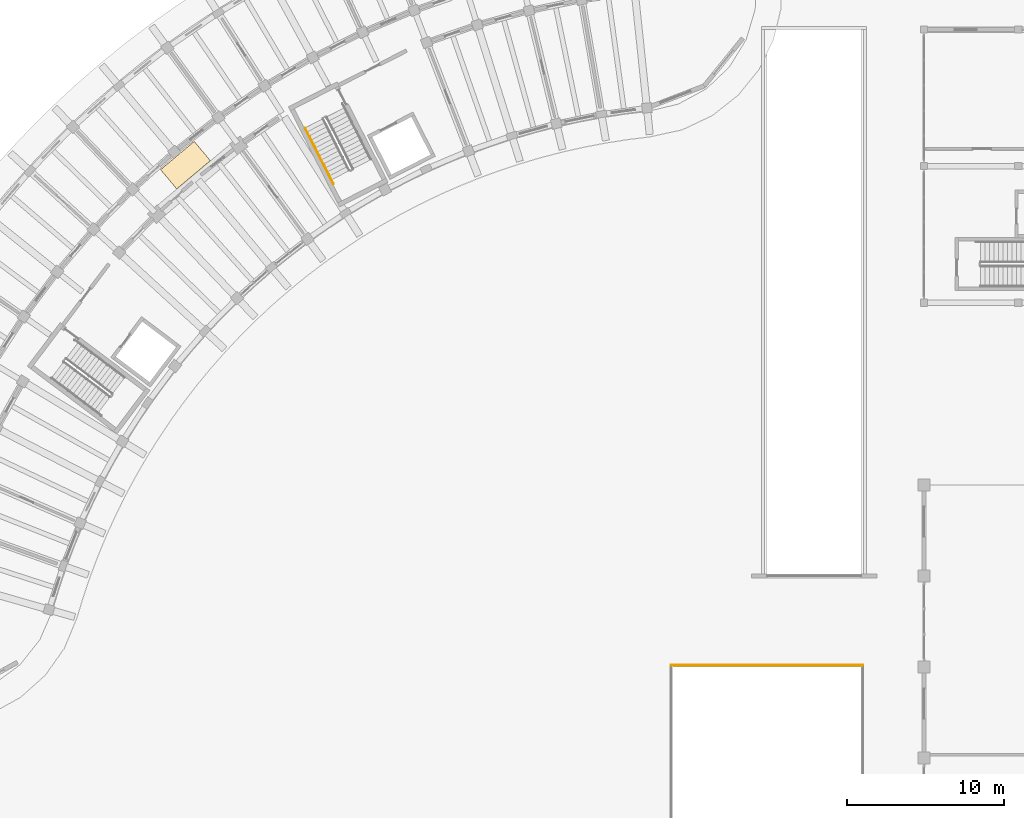
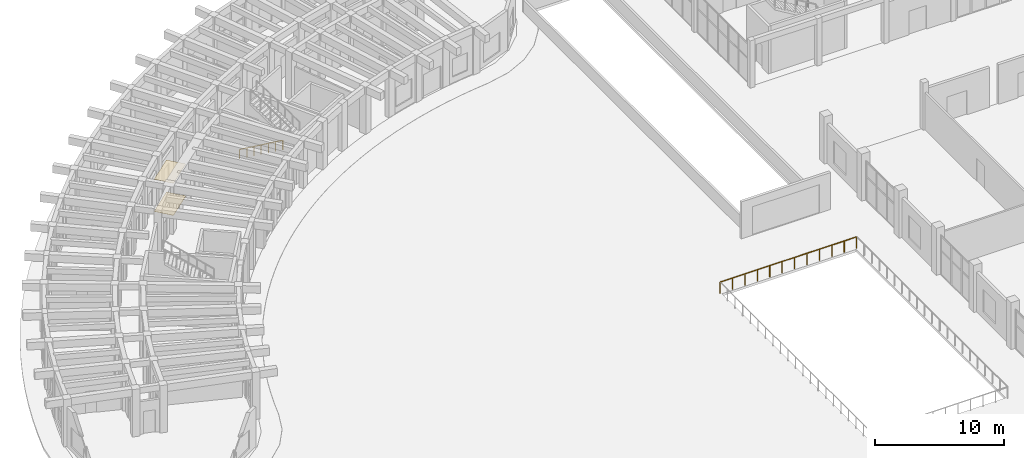
# One storey, part 122 of 132: 4 railings, 2 coverings.
"""IFC4 building model written with IfcOpenShell, lengths in metres."""

from ifc_helpers import new_model, si_unit, direction, frame, origin, origin_2d, place, context, subcontext, project, spatial, rectangle, circle, extrude, material, layer, layer_set, type_object, element, save


model = new_model("IFC4")

# Units and contexts
model_context = context("Model", 3, precision=1e-05, world=origin(), true_north=direction((0.0, 1.0)))
body_context = subcontext(model_context, "Body", "Model", "MODEL_VIEW")
ifc_project = project(units=[si_unit("LENGTHUNIT", "METRE"), si_unit("AREAUNIT", "SQUARE_METRE"), si_unit("VOLUMEUNIT", "CUBIC_METRE"), si_unit("PLANEANGLEUNIT", "RADIAN"), si_unit("MASSUNIT", "GRAM", prefix="KILO")], contexts=[model_context])

# Site, building, storey
site_placement = place(None, origin())
site = spatial("IfcSite", under=ifc_project, at=site_placement, CompositionType="ELEMENT")
building_placement = place(site_placement, origin())
building = spatial("IfcBuilding", under=site, at=building_placement, Name="Tanwirah Colonnade Gardens", CompositionType="ELEMENT")
storey_placement = place(building_placement, origin())
storey = spatial("IfcBuildingStorey", under=building, at=storey_placement, Name="L00", CompositionType="ELEMENT", Elevation=0.0)

# Coverings
ifc_material_1 = material(Name="Acoustic perforated gypsum ceiling board")
ifc_layer_1 = layer(ifc_material_1, 0.014892578125)
ifc_layer_set_1 = layer_set([ifc_layer_1], Name="Acoustic perforated gypsum ceiling board")
covering_type_1 = type_object("IfcCoveringType", Name="COV-CEIL15", PredefinedType="CEILING", material=ifc_layer_set_1)
covering_1_placement = place(storey_placement, frame((30.96435546875, 100.761962890625, 3.04248046875), z_axis=(0.0, 0.0, 1.0), x_axis=(-0.766044443119, -0.642787609687, 0.0)))
element("IfcCovering", 1, at=covering_1_placement, inside=storey, type_object=covering_type_1, Name="Block A L00 Corridor Acoustic Ceiling", PredefinedType="CEILING", context=body_context, shape_type="SweptSolid", body=[
    extrude(rectangle(XDim=2.800048828125, YDim=1.60009765625, at=origin_2d()), origin(), (0.0, 0.0, 1.0), 0.014892578125),
])
ifc_material_2 = material(Name="Honed Abu Dhabi limestone terrazzo flooring", Category="masonry")
ifc_layer_2 = layer(ifc_material_2, 0.02001953125)
ifc_layer_set_2 = layer_set([ifc_layer_2], Name="Honed Abu Dhabi limestone terrazzo flooring")
covering_type_2 = type_object("IfcCoveringType", Name="COV-FLR20", PredefinedType="FLOORING", material=ifc_layer_set_2)
covering_2_placement = place(storey_placement, frame((30.96435546875, 100.761962890625, 0.0), z_axis=(0.0, 0.0, 1.0), x_axis=(-0.766044443119, -0.642787609687, 0.0)))
element("IfcCovering", 2, at=covering_2_placement, inside=storey, type_object=covering_type_2, Name="Block A L00 Corridor Terrazzo Flooring", PredefinedType="FLOORING", context=body_context, shape_type="SweptSolid", body=[
    extrude(rectangle(XDim=2.800048828125, YDim=1.60009765625, at=origin_2d()), origin(), (0.0, 0.0, 1.0), 0.02001953125),
])

# Railings
ifc_material_3 = material(Name="Powder-coated galvanized steel", Category="steel")
railing_type_1 = type_object("IfcRailingType", Name="GRD-ST110", PredefinedType="GUARDRAIL", material=ifc_material_3)
railing_1_placement = place(storey_placement, frame((74.1201171875, 68.919921875, 0.0)))
element("IfcRailing", 3, at=railing_1_placement, inside=storey, type_object=railing_type_1, Name="Courtyard Sunken Garden Perimeter Guard 1.3", PredefinedType="GUARDRAIL", context=body_context, shape_type="SweptSolid", body=[
    extrude(circle(Radius=0.02392578125, at=origin_2d()), frame((-0.03125, 0.0, 1.076171875), z_axis=(-1.0, 0.0, 0.0), x_axis=(0.0, -1.0, 0.0)), (0.0, 0.0, 1.0), 12.177734375),
    extrude(circle(Radius=0.02099609375, at=origin_2d()), origin(), (0.0, 0.0, 1.0), 1.049072265625),
    extrude(circle(Radius=0.02099609375, at=origin_2d()), frame((-1.11279296875, 0.0, 0.0)), (0.0, 0.0, 1.0), 1.049072265625),
    extrude(circle(Radius=0.02099609375, at=origin_2d()), frame((-2.2255859375, 0.0, 0.0)), (0.0, 0.0, 1.0), 1.049072265625),
    extrude(circle(Radius=0.02099609375, at=origin_2d()), frame((-3.338134765625, 0.0, 0.0)), (0.0, 0.0, 1.0), 1.049072265625),
    extrude(circle(Radius=0.02099609375, at=origin_2d()), frame((-4.450927734375, 0.0, 0.0)), (0.0, 0.0, 1.0), 1.049072265625),
    extrude(circle(Radius=0.02099609375, at=origin_2d()), frame((-5.563720703125, 0.0, 0.0)), (0.0, 0.0, 1.0), 1.049072265625),
    extrude(circle(Radius=0.02099609375, at=origin_2d()), frame((-6.676513671875, 0.0, 0.0)), (0.0, 0.0, 1.0), 1.049072265625),
    extrude(circle(Radius=0.02099609375, at=origin_2d()), frame((-7.789306640625, 0.0, 0.0)), (0.0, 0.0, 1.0), 1.049072265625),
    extrude(circle(Radius=0.02099609375, at=origin_2d()), frame((-8.902099609375, 0.0, 0.0)), (0.0, 0.0, 1.0), 1.049072265625),
    extrude(circle(Radius=0.02099609375, at=origin_2d()), frame((-10.0146484375, 0.0, 0.0)), (0.0, 0.0, 1.0), 1.049072265625),
    extrude(circle(Radius=0.02099609375, at=origin_2d()), frame((-11.12744140625, 0.0, 0.0)), (0.0, 0.0, 1.0), 1.049072265625),
    extrude(circle(Radius=0.02099609375, at=origin_2d()), frame((-12.240234375, 0.0, 0.0)), (0.0, 0.0, 1.0), 1.049072265625),
])
ifc_material_4 = material(Name="Brushed bronze stainless steel", Category="steel")
railing_type_2 = type_object("IfcRailingType", Name="HR-ST090", PredefinedType="HANDRAIL", material=ifc_material_4)
railing_2_placement = place(storey_placement, frame((38.578369140625, 103.134521484375, 0.169921875)))
element("IfcRailing", 4, at=railing_2_placement, inside=storey, type_object=railing_type_2, Name="L00 ST-A1 stair handrail 1", PredefinedType="HANDRAIL", context=body_context, shape_type="SweptSolid", body=[
    extrude(circle(Radius=0.02392578125, at=origin_2d()), frame((0.01220703125, -0.02392578125, 0.891845703125), z_axis=(0.389093776309, -0.763712571857, 0.515120510973), x_axis=(0.891024086855, 0.453956029417, 0.0)), (0.0, 0.0, 1.0), 1.4892578125),
    extrude(circle(Radius=0.02099609375, at=origin_2d()), origin(), (0.0, 0.0, 1.0), 0.848876953125),
    extrude(circle(Radius=0.02099609375, at=origin_2d()), frame((0.3017578125, -0.592529296875, 0.399658203125)), (0.0, 0.0, 1.0), 0.848876953125),
    extrude(circle(Radius=0.02099609375, at=origin_2d()), frame((0.603759765625, -1.18505859375, 0.79931640625)), (0.0, 0.0, 1.0), 0.848876953125),
])
railing_3_placement = place(storey_placement, frame((39.18212890625, 101.949462890625, 0.96923828125)))
element("IfcRailing", 5, at=railing_3_placement, inside=storey, type_object=railing_type_2, Name="L00 ST-A1 stair handrail 2", PredefinedType="HANDRAIL", context=body_context, shape_type="SweptSolid", body=[
    extrude(circle(Radius=0.02392578125, at=origin_2d()), frame((0.01220703125, -0.02392578125, 0.891845703125), z_axis=(0.389227280961, -0.763665813171, 0.51508897246), x_axis=(0.890949831734, 0.454101747777, 0.0)), (0.0, 0.0, 1.0), 1.4892578125),
    extrude(circle(Radius=0.02099609375, at=origin_2d()), origin(), (0.0, 0.0, 1.0), 0.848876953125),
    extrude(circle(Radius=0.02099609375, at=origin_2d()), frame((0.302001953125, -0.592529296875, 0.399658203125)), (0.0, 0.0, 1.0), 0.848876953125),
    extrude(circle(Radius=0.02099609375, at=origin_2d()), frame((0.60400390625, -1.18505859375, 0.79931640625)), (0.0, 0.0, 1.0), 0.848876953125),
])
railing_4_placement = place(storey_placement, frame((39.7861328125, 100.764404296875, 1.7685546875)))
element("IfcRailing", 6, at=railing_4_placement, inside=storey, type_object=railing_type_2, Name="L00 ST-A1 stair handrail 3", PredefinedType="HANDRAIL", context=body_context, shape_type="SweptSolid", body=[
    extrude(circle(Radius=0.02392578125, at=origin_2d()), frame((0.01220703125, -0.02392578125, 0.891845703125), z_axis=(0.389062240294, -0.763650673023, 0.515236084498), x_axis=(0.891024086855, 0.453956029417, 0.0)), (0.0, 0.0, 1.0), 1.4892578125),
    extrude(circle(Radius=0.02099609375, at=origin_2d()), origin(), (0.0, 0.0, 1.0), 0.848876953125),
    extrude(circle(Radius=0.02099609375, at=origin_2d()), frame((0.3017578125, -0.592529296875, 0.39990234375)), (0.0, 0.0, 1.0), 0.848876953125),
    extrude(circle(Radius=0.02099609375, at=origin_2d()), frame((0.603759765625, -1.18505859375, 0.799560546875)), (0.0, 0.0, 1.0), 0.848876953125),
])

save(model, "model.ifc")
